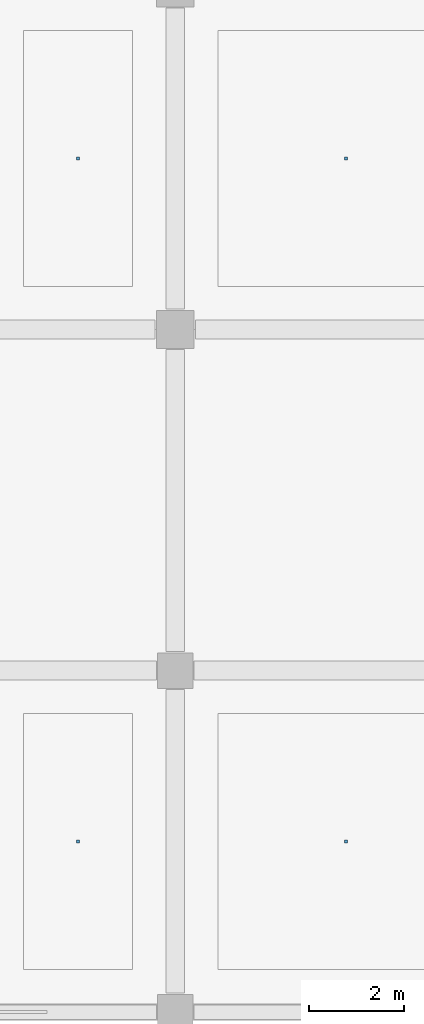
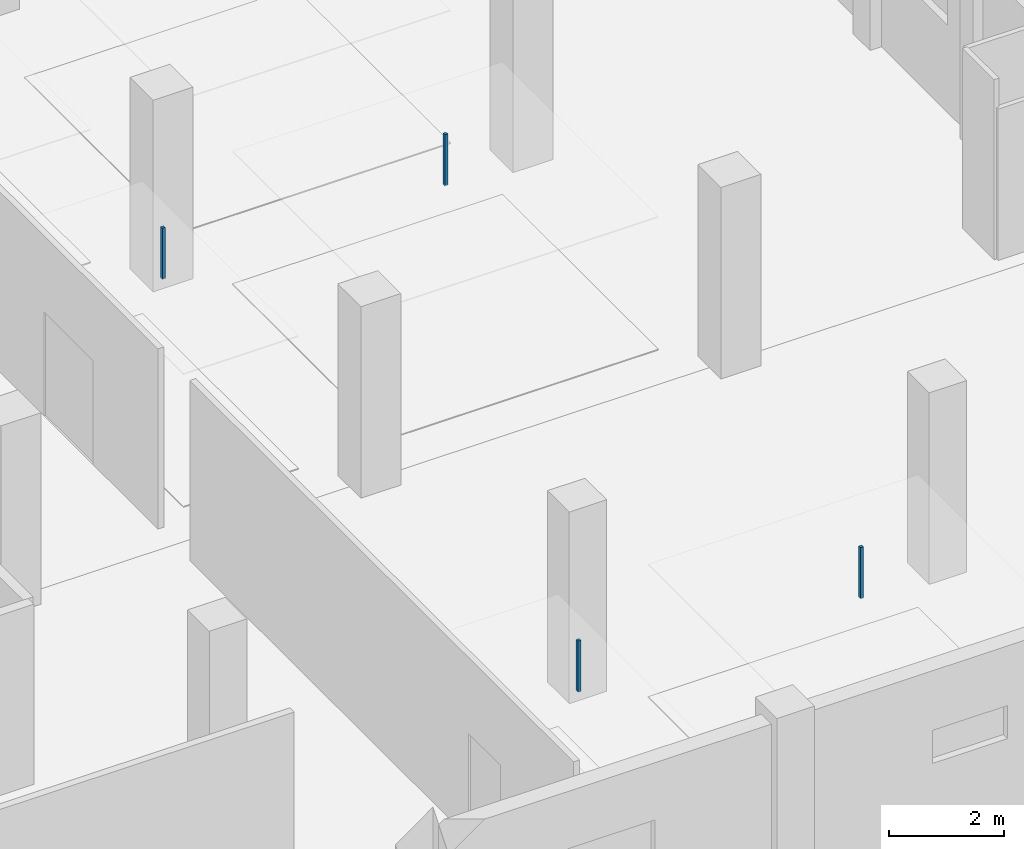
# One storey, part 98 of 107: 4 discrete accessories.
"""IFC4 building model written with IfcOpenShell, lengths in metres."""

from ifc_helpers import new_model, si_unit, direction, frame, origin, origin_2d, place, context, subcontext, project, spatial, rectangle, extrude, material, type_object, element, save


model = new_model("IFC4")

# Units and contexts
model_context = context("Model", 3, precision=1e-05, world=origin(), true_north=direction((0.0, 1.0)))
body_context = subcontext(model_context, "Body", "Model", "MODEL_VIEW")
ifc_project = project(units=[si_unit("LENGTHUNIT", "METRE"), si_unit("AREAUNIT", "SQUARE_METRE"), si_unit("VOLUMEUNIT", "CUBIC_METRE"), si_unit("PLANEANGLEUNIT", "RADIAN"), si_unit("MASSUNIT", "GRAM", prefix="KILO")], contexts=[model_context])

# Site, building, storey
site_placement = place(None, origin())
site = spatial("IfcSite", under=ifc_project, at=site_placement, CompositionType="ELEMENT")
building_placement = place(site_placement, origin())
building = spatial("IfcBuilding", under=site, at=building_placement, Name="Kangsadwip Square Police Headquarters", CompositionType="ELEMENT")
storey_placement = place(building_placement, frame((0.0, 0.0, 5.39990234375)))
storey = spatial("IfcBuildingStorey", under=building, at=storey_placement, Name="L01", CompositionType="ELEMENT", Elevation=5.39990234375)

# Discrete accessories
ifc_material = material(Name="Structural steel IS 2062 E350 (Grade 350, 350 MPa)", Category="steel")
discrete_accessory_type = type_object("IfcDiscreteAccessoryType", Name="VeilOutriggerBracket", PredefinedType="BRACKET", material=ifc_material)
for number, where, z_axis, x_axis, name in (
    (1, (149.14990234375, 39.60009765625, 2.81005859375), (0.0, 0.0, 1.0), (1.0, 0.0, 0.0), "Ceiling Suspension Hanger L01-052"),
    (2, (154.800048828125, 39.60009765625, 2.81005859375), (0.0, 0.0, 1.0), (1.0, 0.0, 0.0), "Ceiling Suspension Hanger L01-053"),
    (3, (149.14990234375, 25.199951171875, 2.81005859375), (0.0, 0.0, 1.0), (1.0, 0.0, 0.0), "Ceiling Suspension Hanger L01-062"),
    (4, (154.800048828125, 25.199951171875, 2.81005859375), (0.0, 0.0, 1.0), (1.0, 0.0, 0.0), "Ceiling Suspension Hanger L01-063"),
):
    element("IfcDiscreteAccessory", number, at=place(storey_placement, frame(where, z_axis=z_axis, x_axis=x_axis)), inside=storey, type_object=discrete_accessory_type, Name=name, PredefinedType="BRACKET", context=body_context, shape_type="SweptSolid", body=[
        extrude(rectangle(XDim=0.06005859375, YDim=0.06005859375, at=origin_2d()), origin(), (0.0, 0.0, 1.0), 1.080078125),
    ])

save(model, "model.ifc")
